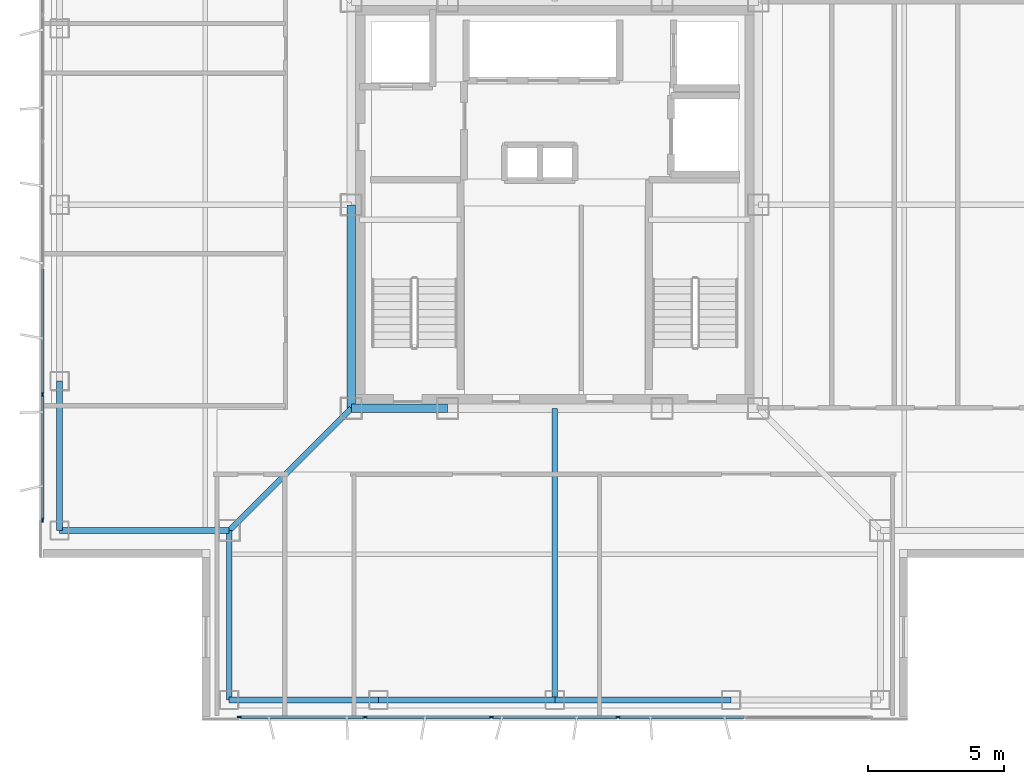
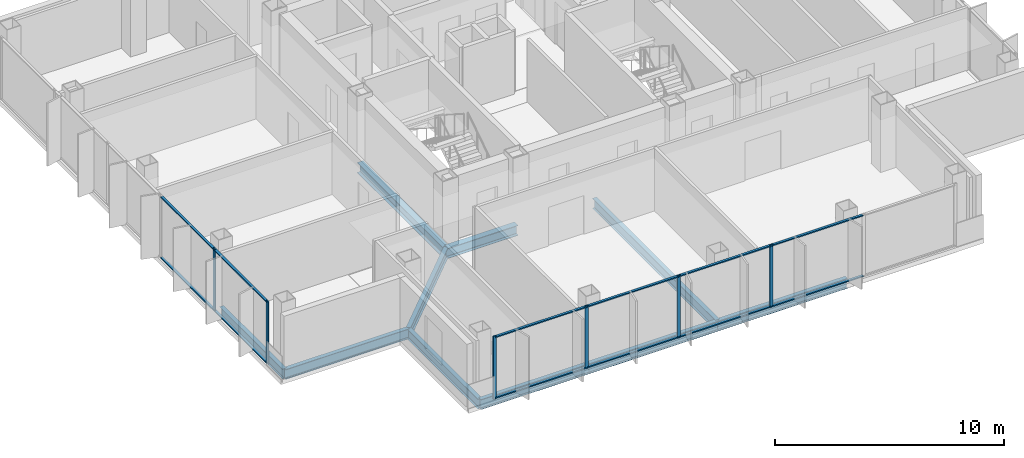
# One storey, part 2 of 15: 18 members, 10 beams, 2 elements without a shape of their own.
"""IFC4 building model written with IfcOpenShell, lengths in metres."""

from ifc_helpers import new_model, si_unit, direction, frame, origin, origin_2d, place, context, subcontext, project, spatial, rectangle, i_section, extrude, material, layer, layer_set, material_profile, profile_set, type_object, element, aggregate, save


model = new_model("IFC4")

# Units and contexts
model_context = context("Model", 3, precision=1e-05, world=origin(), true_north=direction((0.0, 1.0)))
body_context = subcontext(model_context, "Body", "Model", "MODEL_VIEW")
ifc_project = project(units=[si_unit("LENGTHUNIT", "METRE"), si_unit("AREAUNIT", "SQUARE_METRE"), si_unit("VOLUMEUNIT", "CUBIC_METRE"), si_unit("PLANEANGLEUNIT", "RADIAN"), si_unit("MASSUNIT", "GRAM", prefix="KILO")], contexts=[model_context])

# Site, building, storey
site_placement = place(None, origin())
site = spatial("IfcSite", under=ifc_project, at=site_placement, CompositionType="ELEMENT")
building_placement = place(site_placement, origin())
building = spatial("IfcBuilding", under=site, at=building_placement, Name="Trevonay Congress Spire", CompositionType="ELEMENT")
storey_placement = place(building_placement, frame((0.0, 0.0, 282.800048828125)))
storey = spatial("IfcBuildingStorey", under=building, at=storey_placement, Name="L74", CompositionType="ELEMENT", Elevation=282.800048828125)

# Beams
ifc_material_1 = material(Name="Steel ASTM A572 Grade 50", Category="steel")
ifc_material_profile_1 = material_profile(ifc_material_1, i_section(OverallWidth=0.2119140625, OverallDepth=0.5439453125, WebThickness=0.01318359375, FlangeThickness=0.021240234375, FilletRadius=0.014892578125, at=origin_2d()), Name="W530x123")
ifc_profile_set_1 = profile_set([ifc_material_profile_1], Name="Steel ASTM A572 Grade 50")
beam_type_1 = type_object("IfcBeamType", Name="BM-GIRD-W530X123", PredefinedType="BEAM", material=ifc_profile_set_1)
beam_1_placement = place(storey_placement, frame((-7.5, -7.5, -0.511962890625), z_axis=(-0.707106781187, -0.707106781187, 0.0), x_axis=(0.707106781187, -0.707106781187, 0.0)))
element("IfcBeam", 1, at=beam_1_placement, inside=storey, type_object=beam_type_1, Name="L74 structural beam BM-L74-CDSW", PredefinedType="BEAM", context=body_context, shape_type="SweptSolid", body=[
    extrude(i_section(OverallWidth=0.2119140625, OverallDepth=0.5439453125, WebThickness=0.01318359375, FlangeThickness=0.021240234375, FilletRadius=0.014892578125, at=origin_2d()), origin(), (0.0, 0.0, 1.0), 6.364013671875),
])
beam_2_placement = place(storey_placement, frame((0.0, -7.5, -0.511962890625), z_axis=(0.0, -1.0, 0.0), x_axis=(1.0, 0.0, 0.0)))
element("IfcBeam", 2, at=beam_2_placement, inside=storey, type_object=beam_type_1, Name="L74 structural beam BM-L74-GC-S", PredefinedType="BEAM", context=body_context, shape_type="SweptSolid", body=[
    extrude(i_section(OverallWidth=0.2119140625, OverallDepth=0.5439453125, WebThickness=0.01318359375, FlangeThickness=0.021240234375, FilletRadius=0.014892578125, at=origin_2d()), origin(), (0.0, 0.0, 1.0), 10.75),
])
ifc_material_profile_2 = material_profile(ifc_material_1, i_section(OverallWidth=0.31201171875, OverallDepth=0.54296875, WebThickness=0.0126953125, FlangeThickness=0.020263671875, FilletRadius=0.014892578125, at=origin_2d()), Name="W530x150")
ifc_profile_set_2 = profile_set([ifc_material_profile_2], Name="Steel ASTM A572 Grade 50")
beam_type_2 = type_object("IfcBeamType", Name="BM-GIRD-W530X150", PredefinedType="BEAM", material=ifc_profile_set_2)
beam_3_placement = place(storey_placement, frame((-7.5, -7.5, -0.511474609375), z_axis=(1.0, 0.0, 0.0), x_axis=(0.0, 1.0, 0.0)))
element("IfcBeam", 3, at=beam_3_placement, inside=storey, type_object=beam_type_2, Name="L74 structural beam BM-L74-CR-S1", PredefinedType="BEAM", context=body_context, shape_type="SweptSolid", body=[
    extrude(i_section(OverallWidth=0.31201171875, OverallDepth=0.54296875, WebThickness=0.0126953125, FlangeThickness=0.020263671875, FilletRadius=0.014892578125, at=origin_2d()), origin(), (0.0, 0.0, 1.0), 3.550048828125),
])
beam_4_placement = place(storey_placement, frame((-7.5, -7.5, -0.511474609375), z_axis=(0.0, 1.0, 0.0), x_axis=(-1.0, 0.0, 0.0)))
element("IfcBeam", 4, at=beam_4_placement, inside=storey, type_object=beam_type_2, Name="L74 structural beam BM-L74-CR-W1", PredefinedType="BEAM", context=body_context, shape_type="SweptSolid", body=[
    extrude(i_section(OverallWidth=0.31201171875, OverallDepth=0.54296875, WebThickness=0.0126953125, FlangeThickness=0.020263671875, FilletRadius=0.014892578125, at=origin_2d()), origin(), (0.0, 0.0, 1.0), 7.5),
])
ifc_material_profile_3 = material_profile(ifc_material_1, i_section(OverallWidth=0.208984375, OverallDepth=0.532958984375, WebThickness=0.01025390625, FlangeThickness=0.015625, FilletRadius=0.014892578125, at=origin_2d()), Name="W530x92")
ifc_profile_set_3 = profile_set([ifc_material_profile_3], Name="Steel ASTM A572 Grade 50")
beam_type_3 = type_object("IfcBeamType", Name="BM-RING-W530X92", PredefinedType="BEAM", material=ifc_profile_set_3)
for number, where, z_axis, x_axis, name in (
    (5, (-12.0, -18.25, -0.506591796875), (1.0, 0.0, 0.0), (0.0, 1.0, 0.0), "L74 structural beam BM-L74-PS1"),
    (6, (-18.25, -12.0, -0.506591796875), (0.0, 1.0, 0.0), (-1.0, 0.0, 0.0), "L74 structural beam BM-L74-PW1"),
):
    element("IfcBeam", number, at=place(storey_placement, frame(where, z_axis=z_axis, x_axis=x_axis)), inside=storey, type_object=beam_type_3, Name=name, PredefinedType="BEAM", context=body_context, shape_type="SweptSolid", body=[
        extrude(i_section(OverallWidth=0.208984375, OverallDepth=0.532958984375, WebThickness=0.01025390625, FlangeThickness=0.015625, FilletRadius=0.014892578125, at=origin_2d()), origin(), (0.0, 0.0, 1.0), 5.5),
    ])
for number, where, z_axis, x_axis, name in (
    (7, (-6.5, -18.25, -0.506591796875), (1.0, 0.0, 0.0), (0.0, 1.0, 0.0), "L74 structural beam BM-L74-PS2"),
    (8, (0.0, -18.25, -0.506591796875), (1.0, 0.0, 0.0), (0.0, 1.0, 0.0), "L74 structural beam BM-L74-PS3"),
):
    element("IfcBeam", number, at=place(storey_placement, frame(where, z_axis=z_axis, x_axis=x_axis)), inside=storey, type_object=beam_type_3, Name=name, PredefinedType="BEAM", context=body_context, shape_type="SweptSolid", body=[
        extrude(i_section(OverallWidth=0.208984375, OverallDepth=0.532958984375, WebThickness=0.01025390625, FlangeThickness=0.015625, FilletRadius=0.014892578125, at=origin_2d()), origin(), (0.0, 0.0, 1.0), 6.5),
    ])
for number, where, z_axis, x_axis, name in (
    (9, (-12.0, -18.25, -0.506591796875), (0.0, 1.0, 0.0), (-1.0, 0.0, 0.0), "L74 structural beam BM-L74-N1SW"),
    (10, (-18.25, -12.0, -0.506591796875), (1.0, 0.0, 0.0), (0.0, 1.0, 0.0), "L74 structural beam BM-L74-N2SW"),
):
    element("IfcBeam", number, at=place(storey_placement, frame(where, z_axis=z_axis, x_axis=x_axis)), inside=storey, type_object=beam_type_3, Name=name, PredefinedType="BEAM", context=body_context, shape_type="SweptSolid", body=[
        extrude(i_section(OverallWidth=0.208984375, OverallDepth=0.532958984375, WebThickness=0.01025390625, FlangeThickness=0.015625, FilletRadius=0.014892578125, at=origin_2d()), origin(), (0.0, 0.0, 1.0), 6.25),
    ])

# Curtain wall, members
ifc_material_2 = material(Name="Pale Anodised Aluminium EN AW-6063-T6", Category="aluminium")
ifc_layer = layer(ifc_material_2, 0.1650390625, Name="Pale Anodised Aluminium EN AW-6063-T6")
ifc_layer_set = layer_set([ifc_layer], Name="Pale Anodised Aluminium EN AW-6063-T6")
curtain_wall_type = type_object("IfcCurtainWallType", Name="CW-SYS05-DIPLOM-PALE-METAL", PredefinedType="NOTDEFINED", material=ifc_layer_set)
curtain_wall_1_placement = place(storey_placement, origin())
curtain_wall_1 = element("IfcCurtainWall", 11, at=curtain_wall_1_placement, inside=storey, type_object=curtain_wall_type, Name="L74 S unitised curtain wall", PredefinedType="NOTDEFINED")
ifc_material_profile_4 = material_profile(ifc_material_2, rectangle(XDim=0.06005859375, YDim=0.159912109375, at=origin_2d()), Name="CW-MULLION-160-ALUMINIUM")
ifc_profile_set_4 = profile_set([ifc_material_profile_4], Name="Pale Anodised Aluminium EN AW-6063-T6")
member_type_1 = type_object("IfcMemberType", Name="CW-MULLION-160-ALUMINIUM", PredefinedType="MULLION", material=ifc_profile_set_4)
member_1_placement = place(storey_placement, frame((-11.6201171875, -18.8798828125, 0.0), z_axis=(0.0, 0.0, 1.0), x_axis=(0.0, 1.0, 0.0)))
member_1 = element("IfcMember", 12, at=member_1_placement, type_object=member_type_1, Name="CW05 mullion 1", PredefinedType="MULLION", context=body_context, shape_type="SweptSolid", body=[
    extrude(rectangle(XDim=0.06005859375, YDim=0.159912109375, at=origin_2d()), origin(), (0.0, 0.0, 1.0), 3.35986328125),
])
member_2_placement = place(storey_placement, frame((-6.989990234375, -18.8798828125, 0.0), z_axis=(0.0, 0.0, 1.0), x_axis=(0.0, 1.0, 0.0)))
member_2 = element("IfcMember", 13, at=member_2_placement, type_object=member_type_1, Name="CW05 mullion 2", PredefinedType="MULLION", context=body_context, shape_type="SweptSolid", body=[
    extrude(rectangle(XDim=0.06005859375, YDim=0.159912109375, at=origin_2d()), origin(), (0.0, 0.0, 1.0), 3.35986328125),
])
member_3_placement = place(storey_placement, frame((-2.330078125, -18.8798828125, 0.0), z_axis=(0.0, 0.0, 1.0), x_axis=(0.0, 1.0, 0.0)))
member_3 = element("IfcMember", 14, at=member_3_placement, type_object=member_type_1, Name="CW05 mullion 3", PredefinedType="MULLION", context=body_context, shape_type="SweptSolid", body=[
    extrude(rectangle(XDim=0.06005859375, YDim=0.159912109375, at=origin_2d()), origin(), (0.0, 0.0, 1.0), 3.35986328125),
])
member_4_placement = place(storey_placement, frame((2.330078125, -18.8798828125, 0.0), z_axis=(0.0, 0.0, 1.0), x_axis=(0.0, 1.0, 0.0)))
member_4 = element("IfcMember", 15, at=member_4_placement, type_object=member_type_1, Name="CW05 mullion 4", PredefinedType="MULLION", context=body_context, shape_type="SweptSolid", body=[
    extrude(rectangle(XDim=0.06005859375, YDim=0.159912109375, at=origin_2d()), origin(), (0.0, 0.0, 1.0), 3.35986328125),
])

curtain_wall_2_placement = place(storey_placement, origin())
curtain_wall_2 = element("IfcCurtainWall", 16, at=curtain_wall_2_placement, inside=storey, type_object=curtain_wall_type, Name="L74 W unitised curtain wall", PredefinedType="NOTDEFINED")
member_5_placement = place(storey_placement, frame((-18.8798828125, -11.6201171875, 0.0), z_axis=(0.0, 0.0, 1.0), x_axis=(-1.0, 0.0, 0.0)))
member_5 = element("IfcMember", 17, at=member_5_placement, type_object=member_type_1, Name="CW05 mullion 1", PredefinedType="MULLION", context=body_context, shape_type="SweptSolid", body=[
    extrude(rectangle(XDim=0.06005859375, YDim=0.159912109375, at=origin_2d()), origin(), (0.0, 0.0, 1.0), 3.35986328125),
])
member_6_placement = place(storey_placement, frame((-18.8798828125, -6.989990234375, 0.0), z_axis=(0.0, 0.0, 1.0), x_axis=(-1.0, 0.0, 0.0)))
member_6 = element("IfcMember", 18, at=member_6_placement, type_object=member_type_1, Name="CW05 mullion 2", PredefinedType="MULLION", context=body_context, shape_type="SweptSolid", body=[
    extrude(rectangle(XDim=0.06005859375, YDim=0.159912109375, at=origin_2d()), origin(), (0.0, 0.0, 1.0), 3.35986328125),
])

# Member
ifc_material_profile_5 = material_profile(ifc_material_2, rectangle(XDim=0.1201171875, YDim=0.06005859375, at=origin_2d()), Name="CW-TRANSOM-120-ALUMINIUM")
ifc_profile_set_5 = profile_set([ifc_material_profile_5], Name="Pale Anodised Aluminium EN AW-6063-T6")
member_type_2 = type_object("IfcMemberType", Name="CW-TRANSOM-120-ALUMINIUM", PredefinedType="USERDEFINED", material=ifc_profile_set_5)
member_7_placement = place(storey_placement, frame((-11.590087890625, -18.8798828125, 0.06005859375), z_axis=(1.0, 0.0, 0.0), x_axis=(0.0, 1.0, 0.0)))
member_7 = element("IfcMember", 19, at=member_7_placement, type_object=member_type_2, Name="CW05 transom 1.1", ObjectType="TRANSOM", PredefinedType="USERDEFINED", context=body_context, shape_type="SweptSolid", body=[
    extrude(rectangle(XDim=0.1201171875, YDim=0.06005859375, at=origin_2d()), origin(), (0.0, 0.0, 1.0), 4.570068359375),
])

member_8_placement = place(storey_placement, frame((-11.590087890625, -18.8798828125, 3.300048828125), z_axis=(1.0, 0.0, 0.0), x_axis=(0.0, 1.0, 0.0)))
member_8 = element("IfcMember", 20, at=member_8_placement, type_object=member_type_2, Name="CW05 transom 1.2", ObjectType="TRANSOM", PredefinedType="USERDEFINED", context=body_context, shape_type="SweptSolid", body=[
    extrude(rectangle(XDim=0.1201171875, YDim=0.06005859375, at=origin_2d()), origin(), (0.0, 0.0, 1.0), 4.570068359375),
])

member_9_placement = place(storey_placement, frame((-6.9599609375, -18.8798828125, 0.06005859375), z_axis=(1.0, 0.0, 0.0), x_axis=(0.0, 1.0, 0.0)))
member_9 = element("IfcMember", 21, at=member_9_placement, type_object=member_type_2, Name="CW05 transom 2.1", ObjectType="TRANSOM", PredefinedType="USERDEFINED", context=body_context, shape_type="SweptSolid", body=[
    extrude(rectangle(XDim=0.1201171875, YDim=0.06005859375, at=origin_2d()), origin(), (0.0, 0.0, 1.0), 4.599853515625),
])

member_10_placement = place(storey_placement, frame((-6.9599609375, -18.8798828125, 3.300048828125), z_axis=(1.0, 0.0, 0.0), x_axis=(0.0, 1.0, 0.0)))
member_10 = element("IfcMember", 22, at=member_10_placement, type_object=member_type_2, Name="CW05 transom 2.2", ObjectType="TRANSOM", PredefinedType="USERDEFINED", context=body_context, shape_type="SweptSolid", body=[
    extrude(rectangle(XDim=0.1201171875, YDim=0.06005859375, at=origin_2d()), origin(), (0.0, 0.0, 1.0), 4.599853515625),
])

member_11_placement = place(storey_placement, frame((-2.300048828125, -18.8798828125, 0.06005859375), z_axis=(1.0, 0.0, 0.0), x_axis=(0.0, 1.0, 0.0)))
member_11 = element("IfcMember", 23, at=member_11_placement, type_object=member_type_2, Name="CW05 transom 3.1", ObjectType="TRANSOM", PredefinedType="USERDEFINED", context=body_context, shape_type="SweptSolid", body=[
    extrude(rectangle(XDim=0.1201171875, YDim=0.06005859375, at=origin_2d()), origin(), (0.0, 0.0, 1.0), 4.60009765625),
])

member_12_placement = place(storey_placement, frame((-2.300048828125, -18.8798828125, 3.300048828125), z_axis=(1.0, 0.0, 0.0), x_axis=(0.0, 1.0, 0.0)))
member_12 = element("IfcMember", 24, at=member_12_placement, type_object=member_type_2, Name="CW05 transom 3.2", ObjectType="TRANSOM", PredefinedType="USERDEFINED", context=body_context, shape_type="SweptSolid", body=[
    extrude(rectangle(XDim=0.1201171875, YDim=0.06005859375, at=origin_2d()), origin(), (0.0, 0.0, 1.0), 4.60009765625),
])

member_13_placement = place(storey_placement, frame((2.360107421875, -18.8798828125, 0.06005859375), z_axis=(1.0, 0.0, 0.0), x_axis=(0.0, 1.0, 0.0)))
member_13 = element("IfcMember", 25, at=member_13_placement, type_object=member_type_2, Name="CW05 transom 4.1", ObjectType="TRANSOM", PredefinedType="USERDEFINED", context=body_context, shape_type="SweptSolid", body=[
    extrude(rectangle(XDim=0.1201171875, YDim=0.06005859375, at=origin_2d()), origin(), (0.0, 0.0, 1.0), 4.599853515625),
])

member_14_placement = place(storey_placement, frame((2.360107421875, -18.8798828125, 3.300048828125), z_axis=(1.0, 0.0, 0.0), x_axis=(0.0, 1.0, 0.0)))
member_14 = element("IfcMember", 26, at=member_14_placement, type_object=member_type_2, Name="CW05 transom 4.2", ObjectType="TRANSOM", PredefinedType="USERDEFINED", context=body_context, shape_type="SweptSolid", body=[
    extrude(rectangle(XDim=0.1201171875, YDim=0.06005859375, at=origin_2d()), origin(), (0.0, 0.0, 1.0), 4.599853515625),
])

aggregate(curtain_wall_1, [member_1, member_2, member_3, member_4, member_7, member_8, member_9, member_10, member_11, member_12, member_13, member_14])

member_15_placement = place(storey_placement, frame((-18.8798828125, -11.590087890625, 0.06005859375), z_axis=(0.0, 1.0, 0.0), x_axis=(-1.0, 0.0, 0.0)))
member_15 = element("IfcMember", 27, at=member_15_placement, type_object=member_type_2, Name="CW05 transom 1.1", ObjectType="TRANSOM", PredefinedType="USERDEFINED", context=body_context, shape_type="SweptSolid", body=[
    extrude(rectangle(XDim=0.1201171875, YDim=0.06005859375, at=origin_2d()), origin(), (0.0, 0.0, 1.0), 4.570068359375),
])

member_16_placement = place(storey_placement, frame((-18.8798828125, -11.590087890625, 3.300048828125), z_axis=(0.0, 1.0, 0.0), x_axis=(-1.0, 0.0, 0.0)))
member_16 = element("IfcMember", 28, at=member_16_placement, type_object=member_type_2, Name="CW05 transom 1.2", ObjectType="TRANSOM", PredefinedType="USERDEFINED", context=body_context, shape_type="SweptSolid", body=[
    extrude(rectangle(XDim=0.1201171875, YDim=0.06005859375, at=origin_2d()), origin(), (0.0, 0.0, 1.0), 4.570068359375),
])

member_17_placement = place(storey_placement, frame((-18.8798828125, -6.9599609375, 0.06005859375), z_axis=(0.0, 1.0, 0.0), x_axis=(-1.0, 0.0, 0.0)))
member_17 = element("IfcMember", 29, at=member_17_placement, type_object=member_type_2, Name="CW05 transom 2.1", ObjectType="TRANSOM", PredefinedType="USERDEFINED", context=body_context, shape_type="SweptSolid", body=[
    extrude(rectangle(XDim=0.1201171875, YDim=0.06005859375, at=origin_2d()), origin(), (0.0, 0.0, 1.0), 4.599853515625),
])

member_18_placement = place(storey_placement, frame((-18.8798828125, -6.9599609375, 3.300048828125), z_axis=(0.0, 1.0, 0.0), x_axis=(-1.0, 0.0, 0.0)))
member_18 = element("IfcMember", 30, at=member_18_placement, type_object=member_type_2, Name="CW05 transom 2.2", ObjectType="TRANSOM", PredefinedType="USERDEFINED", context=body_context, shape_type="SweptSolid", body=[
    extrude(rectangle(XDim=0.1201171875, YDim=0.06005859375, at=origin_2d()), origin(), (0.0, 0.0, 1.0), 4.599853515625),
])

aggregate(curtain_wall_2, [member_5, member_6, member_15, member_16, member_17, member_18])

save(model, "model.ifc")
